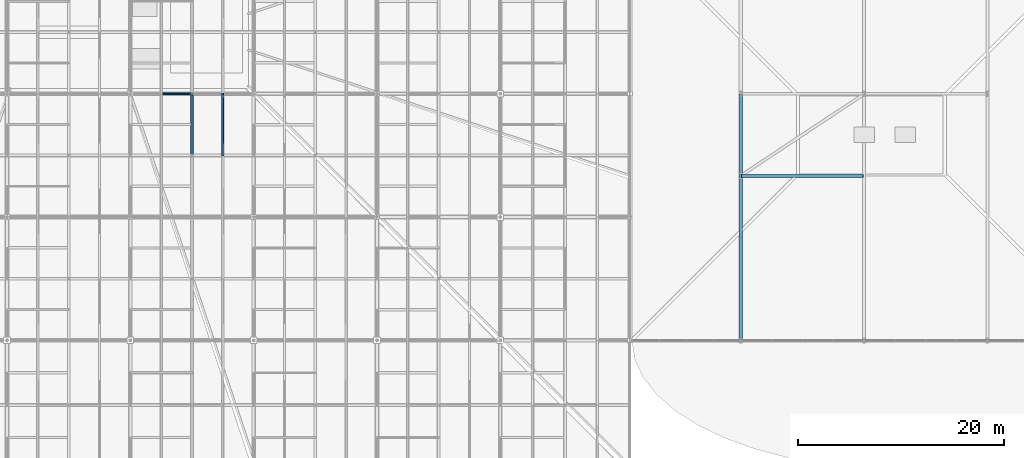
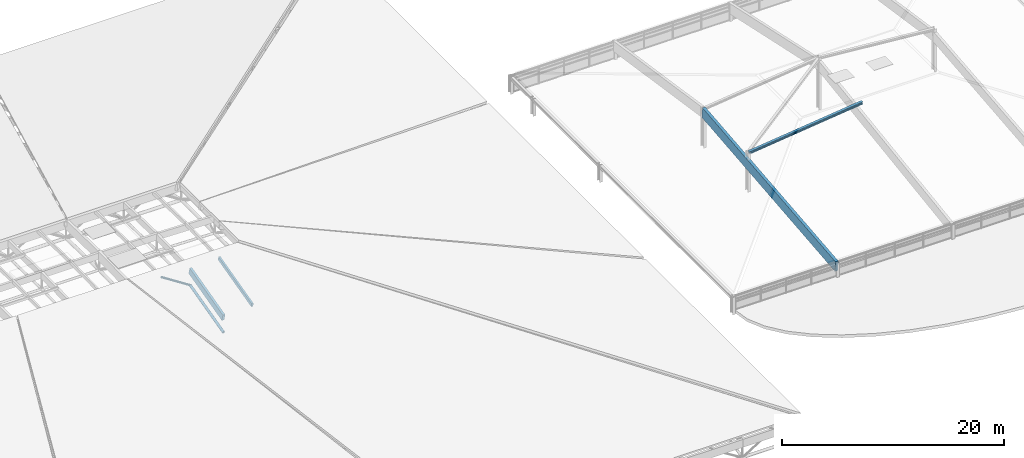
# One storey, part 35 of 80: 4 members, 2 beams.
"""IFC4 building model written with IfcOpenShell, lengths in metres."""

from ifc_helpers import new_model, si_unit, direction, frame, origin, origin_2d, place, context, subcontext, project, spatial, rectangle, hollow_circle, i_section, extrude, material, material_profile, profile_set, type_object, element, save


model = new_model("IFC4")

# Units and contexts
model_context = context("Model", 3, precision=1e-05, world=origin(), true_north=direction((0.0, 1.0)))
body_context = subcontext(model_context, "Body", "Model", "MODEL_VIEW")
ifc_project = project(units=[si_unit("LENGTHUNIT", "METRE"), si_unit("AREAUNIT", "SQUARE_METRE"), si_unit("VOLUMEUNIT", "CUBIC_METRE"), si_unit("PLANEANGLEUNIT", "RADIAN"), si_unit("MASSUNIT", "GRAM", prefix="KILO"), si_unit("THERMODYNAMICTEMPERATUREUNIT", "KELVIN"), si_unit("POWERUNIT", "WATT")], contexts=[model_context])

# Site, building, storey
site_placement = place(None, origin())
site = spatial("IfcSite", under=ifc_project, at=site_placement, CompositionType="ELEMENT")
building_placement = place(site_placement, origin())
building = spatial("IfcBuilding", under=site, at=building_placement, Name="Solmara Park Aquatics Centre", CompositionType="ELEMENT")
storey_placement = place(building_placement, frame((0.0, 0.0, 22.800048828125)))
storey = spatial("IfcBuildingStorey", under=building, at=storey_placement, Name="RF", CompositionType="ELEMENT", Elevation=22.800048828125)

# Beams
ifc_material_1 = material(Name="Glulam Timber GL28h", Category="wood")
ifc_material_profile_1 = material_profile(ifc_material_1, rectangle(XDim=0.300048828125, YDim=1.1201171875, at=origin_2d()), Name="GL28h 300x1120")
ifc_profile_set_1 = profile_set([ifc_material_profile_1], Name="Glulam Timber GL28h")
beam_type_1 = type_object("IfcBeamType", Name="STR-BM-GL300x1120", PredefinedType="BEAM", material=ifc_profile_set_1)
beam_1_placement = place(storey_placement, frame((120.0, 12.60009765625, -7.0), z_axis=(0.0, 0.995037591075, 0.099499710289), x_axis=(-1.0, 0.0, 0.0)))
element("IfcBeam", 1, at=beam_1_placement, inside=storey, type_object=beam_type_1, Name="Diving Roof Glulam Portal Girder S-120", PredefinedType="BEAM", context=body_context, shape_type="SweptSolid", body=[
    extrude(rectangle(XDim=0.300048828125, YDim=1.1201171875, at=origin_2d()), origin(), (0.0, 0.0, 1.0), 24.11962890625),
])
ifc_material_2 = material(Name="Structural Steel S355", Category="steel")
ifc_material_profile_2 = material_profile(ifc_material_2, i_section(OverallWidth=0.280029296875, OverallDepth=0.27001953125, WebThickness=0.008056640625, FlangeThickness=0.012939453125, FilletRadius=0.02392578125, at=origin_2d()), Name="HEA 280")
ifc_profile_set_2 = profile_set([ifc_material_profile_2], Name="Structural Steel S355")
beam_type_2 = type_object("IfcBeamType", Name="STR-BM-HEA280", PredefinedType="BEAM", material=ifc_profile_set_2)
beam_2_placement = place(storey_placement, frame((120.080078125, 28.60009765625, -4.219970703125), z_axis=(0.99308250389, 0.0, 0.117418654679), x_axis=(0.0, 1.0, 0.0)))
element("IfcBeam", 2, at=beam_2_placement, inside=storey, type_object=beam_type_2, Name="Diving Crown South Carrier Girder", PredefinedType="BEAM", context=body_context, shape_type="SweptSolid", body=[
    extrude(i_section(OverallWidth=0.280029296875, OverallDepth=0.27001953125, WebThickness=0.008056640625, FlangeThickness=0.012939453125, FilletRadius=0.02392578125, at=origin_2d()), origin(), (0.0, 0.0, 1.0), 11.92236328125),
])

# Members
ifc_material_profile_3 = material_profile(ifc_material_2, hollow_circle(Radius=0.109619140625, WallThickness=0.010009765625, at=origin_2d()), Name="CHS 219.1x10")
ifc_profile_set_3 = profile_set([ifc_material_profile_3], Name="Structural Steel S355")
member_type_1 = type_object("IfcMemberType", Name="STR-BRC-CHS219", PredefinedType="BRACE", material=ifc_profile_set_3)
member_1_placement = place(storey_placement, frame((66.60009765625, 36.60009765625, -4.9345703125), z_axis=(-0.83972779743, 0.0, 0.543007574738), x_axis=(0.0, -1.0, 0.0)))
element("IfcMember", 3, at=member_1_placement, inside=storey, type_object=member_type_1, Name="Roof Truss Web Diagonal X 1644", PredefinedType="BRACE", context=body_context, shape_type="SweptSolid", body=[
    extrude(hollow_circle(Radius=0.109619140625, WallThickness=0.010009765625, at=origin_2d()), origin(), (0.0, 0.0, 1.0), 3.572509765625),
])
ifc_material_profile_4 = material_profile(ifc_material_2, hollow_circle(Radius=0.136474609375, WallThickness=0.012451171875, at=origin_2d()), Name="CHS 273x12.5")
ifc_profile_set_4 = profile_set([ifc_material_profile_4], Name="Structural Steel S355")
member_type_2 = type_object("IfcMemberType", Name="STR-CHD-CHS273", PredefinedType="CHORD", material=ifc_profile_set_4)
member_2_placement = place(storey_placement, frame((66.60009765625, 30.60009765625, -6.486328125), z_axis=(0.0, 0.968145594442, 0.250387914969), x_axis=(-1.0, 0.0, 0.0)))
element("IfcMember", 4, at=member_2_placement, inside=storey, type_object=member_type_2, Name="Steel Roof Truss Bottom Chord Y 0860", PredefinedType="CHORD", context=body_context, shape_type="SweptSolid", body=[
    extrude(hollow_circle(Radius=0.136474609375, WallThickness=0.012451171875, at=origin_2d()), origin(), (0.0, 0.0, 1.0), 6.197509765625),
])
ifc_material_profile_5 = material_profile(ifc_material_1, rectangle(XDim=0.239990234375, YDim=0.719970703125, at=origin_2d()), Name="GL28h 240x720")
ifc_profile_set_5 = profile_set([ifc_material_profile_5], Name="Glulam Timber GL28h")
member_type_3 = type_object("IfcMemberType", Name="STR-CHD-GL240x720", PredefinedType="CHORD", material=ifc_profile_set_5)
member_3_placement = place(storey_placement, frame((66.60009765625, 30.60009765625, -4.866455078125), z_axis=(0.0, 0.968145594442, 0.250387914969), x_axis=(-1.0, 0.0, 0.0)))
element("IfcMember", 5, at=member_3_placement, inside=storey, type_object=member_type_3, Name="Glulam Roof Truss Top Chord Y 0859", PredefinedType="CHORD", context=body_context, shape_type="SweptSolid", body=[
    extrude(rectangle(XDim=0.239990234375, YDim=0.719970703125, at=origin_2d()), origin(), (0.0, 0.0, 1.0), 6.197509765625),
])
ifc_material_profile_6 = material_profile(ifc_material_1, rectangle(XDim=0.179931640625, YDim=0.39990234375, at=origin_2d()), Name="GL28h 180x400")
ifc_profile_set_6 = profile_set([ifc_material_profile_6], Name="Glulam Timber GL28h")
member_type_4 = type_object("IfcMemberType", Name="STR-PRL-GL180x400", PredefinedType="PURLIN", material=ifc_profile_set_6)
member_4_placement = place(storey_placement, frame((69.60009765625, 30.60009765625, -4.54638671875), z_axis=(0.0, 0.968145594442, 0.250387914969), x_axis=(-1.0, 0.0, 0.0)))
element("IfcMember", 6, at=member_4_placement, inside=storey, type_object=member_type_4, Name="Glulam Roof Purlin 1658", PredefinedType="PURLIN", context=body_context, shape_type="SweptSolid", body=[
    extrude(rectangle(XDim=0.179931640625, YDim=0.39990234375, at=origin_2d()), origin(), (0.0, 0.0, 1.0), 6.197509765625),
])

save(model, "model.ifc")
